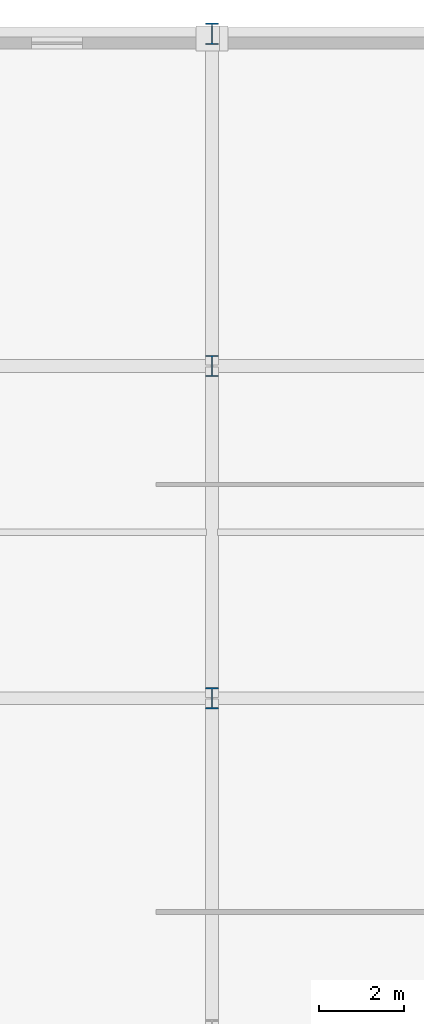
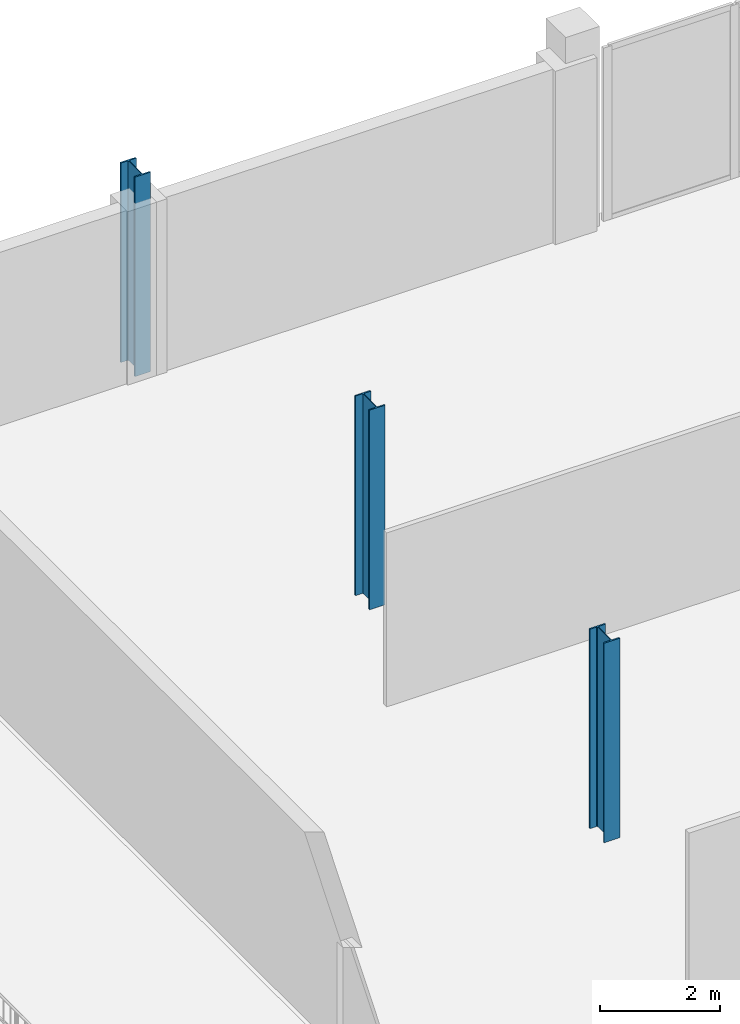
# One storey, part 3 of 41: 3 columns.
"""IFC4 building model written with IfcOpenShell, lengths in metres."""

from ifc_helpers import new_model, si_unit, direction, frame, origin, origin_2d, place, context, subcontext, project, spatial, i_section, extrude, material, material_profile, profile_set, type_object, element, save


model = new_model("IFC4")

# Units and contexts
model_context = context("Model", 3, precision=1e-05, world=origin(), true_north=direction((0.0, 1.0)))
body_context = subcontext(model_context, "Body", "Model", "MODEL_VIEW")
ifc_project = project(units=[si_unit("LENGTHUNIT", "METRE"), si_unit("AREAUNIT", "SQUARE_METRE"), si_unit("VOLUMEUNIT", "CUBIC_METRE"), si_unit("PLANEANGLEUNIT", "RADIAN"), si_unit("MASSUNIT", "GRAM", prefix="KILO")], contexts=[model_context])

# Site, building, storey
site_placement = place(None, origin())
site = spatial("IfcSite", under=ifc_project, at=site_placement, CompositionType="ELEMENT")
building_placement = place(site_placement, origin())
building = spatial("IfcBuilding", under=site, at=building_placement, Name="Nabrawat Pavilion Hospital", CompositionType="ELEMENT")
storey_placement = place(building_placement, frame((0.0, 0.0, 18.89990234375)))
storey = spatial("IfcBuildingStorey", under=building, at=storey_placement, Name="L04", CompositionType="ELEMENT", Elevation=18.89990234375)

# Columns
ifc_material = material(Name="Steel S355", Category="steel")
ifc_material_profile = material_profile(ifc_material, i_section(OverallWidth=0.300048828125, OverallDepth=0.5, WebThickness=0.014404296875, FlangeThickness=0.028076171875, FilletRadius=0.027099609375, at=origin_2d()), Name="HEB 500")
ifc_profile_set = profile_set([ifc_material_profile], Name="Steel S355")
column_type = type_object("IfcColumnType", Name="Composite Steel Column HEB 500", PredefinedType="COLUMN", material=ifc_profile_set)
for number, where, z_axis, x_axis, name in (
    (1, (142.800048828125, 109.199951171875, 0.0), (0.0, 0.0, 1.0), (1.0, 0.0, 0.0), "L04 Structural Column G-18-Q"),
    (2, (142.800048828125, 117.0, 0.0), (0.0, 0.0, 1.0), (1.0, 0.0, 0.0), "L04 Structural Column G-18-R"),
    (3, (142.800048828125, 124.800048828125, 0.0), (0.0, 0.0, 1.0), (1.0, 0.0, 0.0), "L04 Structural Column G-18-S"),
):
    element("IfcColumn", number, at=place(storey_placement, frame(where, z_axis=z_axis, x_axis=x_axis)), inside=storey, type_object=column_type, Name=name, PredefinedType="COLUMN", context=body_context, shape_type="SweptSolid", body=[
        extrude(i_section(OverallWidth=0.300048828125, OverallDepth=0.5, WebThickness=0.014404296875, FlangeThickness=0.028076171875, FilletRadius=0.027099609375, at=origin_2d()), origin(), (0.0, 0.0, 1.0), 4.050048828125),
    ])

save(model, "model.ifc")
